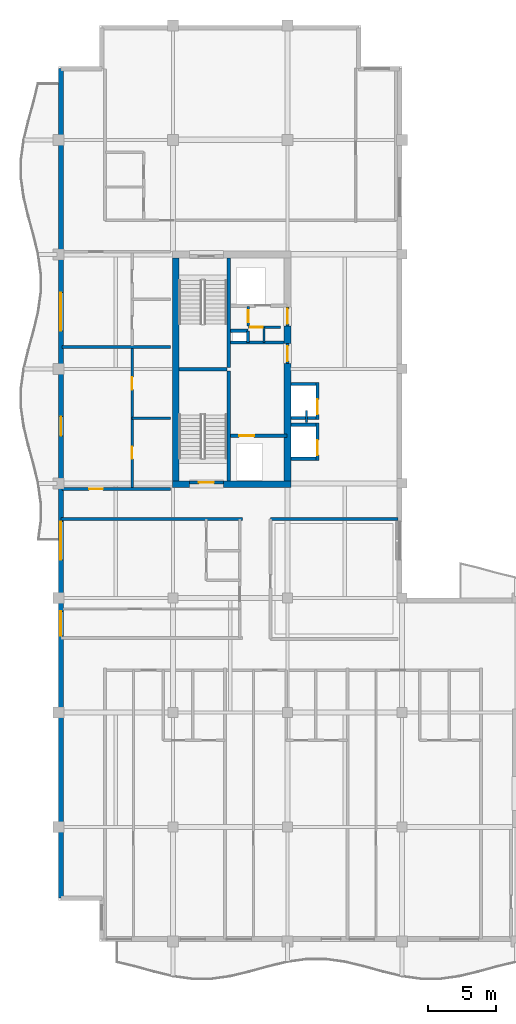
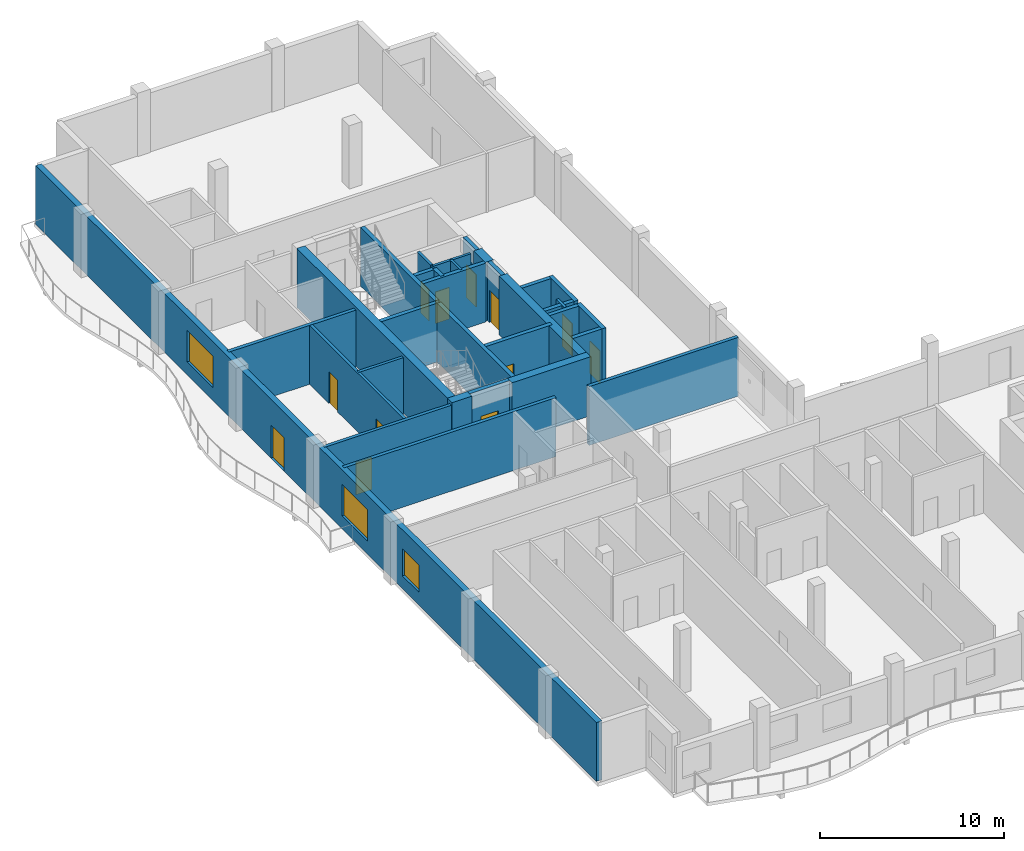
# One storey, part 6 of 11: 32 walls, 12 doors, 3 windows, 15 openings.
"""IFC4 building model written with IfcOpenShell, lengths in metres."""

from ifc_helpers import new_model, si_unit, direction, frame, frame_2d, origin, place, context, subcontext, project, spatial, rectangle, extrude, material, layer, layer_set, type_object, element, fill, save


model = new_model("IFC4")

# Units and contexts
model_context = context("Model", 3, precision=1e-05, world=origin(), true_north=direction((0.0, 1.0)))
body_context = subcontext(model_context, "Body", "Model", "MODEL_VIEW")
ifc_project = project(units=[si_unit("LENGTHUNIT", "METRE"), si_unit("AREAUNIT", "SQUARE_METRE"), si_unit("VOLUMEUNIT", "CUBIC_METRE"), si_unit("PLANEANGLEUNIT", "RADIAN"), si_unit("MASSUNIT", "GRAM", prefix="KILO")], contexts=[model_context])

# Site, building, storey
site_placement = place(None, origin())
site = spatial("IfcSite", under=ifc_project, at=site_placement, CompositionType="ELEMENT")
building_placement = place(site_placement, origin())
building = spatial("IfcBuilding", under=site, at=building_placement, Name="Koriwani Terraces Tower", CompositionType="ELEMENT")
storey_placement = place(building_placement, frame((0.0, 0.0, 359.60009765625)))
storey = spatial("IfcBuildingStorey", under=building, at=storey_placement, Name="L89", CompositionType="ELEMENT", Elevation=359.60009765625)

# Walls
ifc_material_1 = material(Name="Concrete C50/60", Category="concrete")
ifc_layer_1 = layer(ifc_material_1, 0.5, Name="Concrete C50/60")
ifc_layer_set_1 = layer_set([ifc_layer_1], Name="Concrete C50/60")
wall_type_1 = type_object("IfcWallType", Name="WALL_CORE_RC_500", PredefinedType="SHEAR", material=ifc_layer_set_1)
wall_1_placement = place(storey_placement, frame((16.75, 41.949951171875, 0.0), z_axis=(0.0, 0.0, 1.0), x_axis=(1.0, 0.0, 0.0)))
element("IfcWall", 1, at=wall_1_placement, inside=storey, type_object=wall_type_1, Name="L89 West Split Core Shear Wall S1", PredefinedType="SHEAR", context=body_context, shape_type="SweptSolid", body=[
    extrude(rectangle(XDim=1.25, YDim=0.5, at=frame_2d((0.625, 0.0))), origin(), (0.0, 0.0, 1.0), 3.89990234375),
])
wall_2_placement = place(storey_placement, frame((20.5, 41.949951171875, 0.0), z_axis=(0.0, 0.0, 1.0), x_axis=(1.0, 0.0, 0.0)))
element("IfcWall", 2, at=wall_2_placement, inside=storey, type_object=wall_type_1, Name="L89 West Split Core Shear Wall S2", PredefinedType="SHEAR", context=body_context, shape_type="SweptSolid", body=[
    extrude(rectangle(XDim=4.949951171875, YDim=0.5, at=frame_2d((2.47509765625, 0.0))), origin(), (0.0, 0.0, 1.0), 3.89990234375),
])
wall_3_placement = place(storey_placement, frame((17.0, 42.199951171875, 0.0), z_axis=(0.0, 0.0, 1.0), x_axis=(0.0, 1.0, 0.0)))
element("IfcWall", 3, at=wall_3_placement, inside=storey, type_object=wall_type_1, Name="L89 West Split Core Shear Wall W1", PredefinedType="SHEAR", context=body_context, shape_type="SweptSolid", body=[
    extrude(rectangle(XDim=16.35009765625, YDim=0.5, at=frame_2d((8.175048828125, 0.0))), origin(), (0.0, 0.0, 1.0), 3.89990234375),
])
wall_4_placement = place(storey_placement, frame((25.199951171875, 42.199951171875, 0.0), z_axis=(0.0, 0.0, 1.0), x_axis=(0.0, 1.0, 0.0)))
element("IfcWall", 4, at=wall_4_placement, inside=storey, type_object=wall_type_1, Name="L89 West Split Core Shear Wall E1", PredefinedType="SHEAR", context=body_context, shape_type="SweptSolid", body=[
    extrude(rectangle(XDim=8.60009765625, YDim=0.5, at=frame_2d((4.300048828125, 0.0))), origin(), (0.0, 0.0, 1.0), 3.89990234375),
])
wall_5_placement = place(storey_placement, frame((25.199951171875, 52.280029296875, 0.0), z_axis=(0.0, 0.0, 1.0), x_axis=(0.0, 1.0, 0.0)))
element("IfcWall", 5, at=wall_5_placement, inside=storey, type_object=wall_type_1, Name="L89 West Split Core Shear Wall E2", PredefinedType="SHEAR", context=body_context, shape_type="SweptSolid", body=[
    extrude(rectangle(XDim=1.27001953125, YDim=0.5, at=frame_2d((0.635009765625, 0.0))), origin(), (0.0, 0.0, 1.0), 3.89990234375),
])

# Wall, opening, door
ifc_material_2 = material(Name="Autoclaved Cellular Concrete Blockwork", Category="masonry")
ifc_layer_2 = layer(ifc_material_2, 0.199951171875, Name="Autoclaved Cellular Concrete Blockwork")
ifc_layer_set_2 = layer_set([ifc_layer_2], Name="Autoclaved Cellular Concrete Blockwork")
wall_type_2 = type_object("IfcWallType", Name="WALL_CORRIDOR_200", PredefinedType="PARTITIONING", material=ifc_layer_set_2)
wall_6_placement = place(storey_placement, frame((8.64990234375, 41.60009765625, 0.0), z_axis=(0.0, 0.0, 1.0), x_axis=(1.0, 0.0, 0.0)))
wall_6 = element("IfcWall", 6, at=wall_6_placement, inside=storey, type_object=wall_type_2, Name="L89 Interior Wall WRZ4-WS-L89", PredefinedType="PARTITIONING", context=body_context, shape_type="SweptSolid", body=[
    extrude(rectangle(XDim=7.9501953125, YDim=0.199951171875, at=frame_2d((3.97509765625, 0.0))), origin(), (0.0, 0.0, 1.0), 3.89990234375),
])
opening_1_placement = place(wall_6_placement, frame((2.0, 0.0, 0.0)))
opening_1 = element("IfcOpeningElement", 7, at=opening_1_placement, cuts=wall_6, Name="Opening D-05", PredefinedType="OPENING", context=body_context, shape_type="SweptSolid", body=[
    extrude(rectangle(XDim=1.0, YDim=2.14990234375, at=frame_2d((0.5, 1.074951171875))), frame((0.0, 0.10986328125, 0.0), z_axis=(0.0, -1.0, 0.0), x_axis=(1.0, 0.0, 0.0)), (0.0, 0.0, 1.0), 0.219970703125),
])
ifc_material_3 = material(Name="Architectural Oak Fire Door", Category="wood")
door_type_1 = type_object("IfcDoorType", Name="DOOR_SUITE_ENTRY_1000X2150", OperationType="NOTDEFINED", PredefinedType="DOOR", material=ifc_material_3)
door_1_placement = place(opening_1_placement, origin())
door_1 = element("IfcDoor", 8, at=door_1_placement, inside=storey, type_object=door_type_1, Name="Apartment 89RW1 Entrance Door", OperationType="SINGLE_SWING_RIGHT", OverallHeight=2.14990234375, OverallWidth=1.0, PredefinedType="DOOR", context=body_context, shape_type="SweptSolid", body=[
    extrude(rectangle(XDim=1.0, YDim=2.14990234375, at=frame_2d((0.5, 1.074951171875))), frame((0.0, 0.02490234375, 0.0), z_axis=(0.0, -1.0, 0.0), x_axis=(1.0, 0.0, 0.0)), (0.0, 0.0, 1.0), 0.050048828125),
])
fill(opening_1, door_1)

# Walls
ifc_layer_3 = layer(ifc_material_2, 0.219970703125, Name="Autoclaved Cellular Concrete Blockwork")
ifc_layer_set_3 = layer_set([ifc_layer_3], Name="Autoclaved Cellular Concrete Blockwork")
wall_type_3 = type_object("IfcWallType", Name="WALL_DEMISING_220", PredefinedType="PARTITIONING", material=ifc_layer_set_3)
wall_7_placement = place(storey_placement, frame((23.949951171875, 39.39990234375, 0.0), z_axis=(0.0, 0.0, 1.0), x_axis=(1.0, 0.0, 0.0)))
element("IfcWall", 9, at=wall_7_placement, inside=storey, type_object=wall_type_3, Name="L89 Interior Wall WIC4WN-L89", PredefinedType="PARTITIONING", context=body_context, shape_type="SweptSolid", body=[
    extrude(rectangle(XDim=9.35009765625, YDim=0.219970703125, at=frame_2d((4.675048828125, 0.0))), origin(), (0.0, 0.0, 1.0), 3.89990234375),
])
wall_8_placement = place(storey_placement, frame((8.64990234375, 52.0, 0.0), z_axis=(0.0, 0.0, 1.0), x_axis=(1.0, 0.0, 0.0)))
element("IfcWall", 10, at=wall_8_placement, inside=storey, type_object=wall_type_3, Name="L89 Interior Wall WRZ4-WM-L89", PredefinedType="PARTITIONING", context=body_context, shape_type="SweptSolid", body=[
    extrude(rectangle(XDim=7.9501953125, YDim=0.219970703125, at=frame_2d((3.97509765625, 0.0))), origin(), (0.0, 0.0, 1.0), 3.89990234375),
])
wall_9_placement = place(storey_placement, frame((8.60009765625, 39.39990234375, 0.0), z_axis=(0.0, 0.0, 1.0), x_axis=(1.0, 0.0, 0.0)))
element("IfcWall", 11, at=wall_9_placement, inside=storey, type_object=wall_type_3, Name="L89 Interior Wall WRDEME-L89-NE", PredefinedType="PARTITIONING", context=body_context, shape_type="SweptSolid", body=[
    extrude(rectangle(XDim=13.27978515625, YDim=0.219970703125, at=frame_2d((6.639892578125, 0.0))), origin(), (0.0, 0.0, 1.0), 3.89990234375),
])

# Wall, openings, door, windows
ifc_layer_4 = layer(ifc_material_1, 0.35009765625, Name="Concrete C50/60")
ifc_layer_set_4 = layer_set([ifc_layer_4], Name="Concrete C50/60")
wall_type_4 = type_object("IfcWallType", Name="WALL_EXT_BRUTALIST_350", PredefinedType="STANDARD", material=ifc_layer_set_4)
wall_10_placement = place(storey_placement, frame((8.574951171875, 11.574951171875, 0.0), z_axis=(0.0, 0.0, 1.0), x_axis=(0.0, 1.0, 0.0)))
wall_10 = element("IfcWall", 12, at=wall_10_placement, inside=storey, type_object=wall_type_4, Name="L89 Fair-Faced Brutalist Exterior Wall (W)", PredefinedType="STANDARD", context=body_context, shape_type="SweptSolid", body=[
    extrude(rectangle(XDim=60.85009765625, YDim=0.35009765625, at=frame_2d((30.425048828125, 0.0))), origin(), (0.0, 0.0, 1.0), 3.89990234375),
])
opening_2_placement = place(wall_10_placement, frame((33.925048828125, 0.0, 0.0)))
opening_2 = element("IfcOpeningElement", 13, at=opening_2_placement, cuts=wall_10, Name="Opening D-09", PredefinedType="OPENING", context=body_context, shape_type="SweptSolid", body=[
    extrude(rectangle(XDim=1.39990234375, YDim=2.199951171875, at=frame_2d((0.699951171875, 1.10009765625))), frame((0.0, 0.18505859375, 0.0), z_axis=(0.0, -1.0, 0.0), x_axis=(1.0, 0.0, 0.0)), (0.0, 0.0, 1.0), 0.3701171875),
])
opening_3_placement = place(wall_10_placement, frame((24.824951171875, 0.0, 0.85009765625)))
opening_3 = element("IfcOpeningElement", 14, at=opening_3_placement, cuts=wall_10, Name="Opening W-05", PredefinedType="OPENING", context=body_context, shape_type="SweptSolid", body=[
    extrude(rectangle(XDim=2.800048828125, YDim=2.10009765625, at=frame_2d((1.39990234375, 1.050048828125))), frame((0.0, 0.18505859375, 0.0), z_axis=(0.0, -1.0, 0.0), x_axis=(1.0, 0.0, 0.0)), (0.0, 0.0, 1.0), 0.3701171875),
])
opening_4_placement = place(wall_10_placement, frame((41.625, 0.0, 0.85009765625)))
opening_4 = element("IfcOpeningElement", 15, at=opening_4_placement, cuts=wall_10, Name="Opening W-05", PredefinedType="OPENING", context=body_context, shape_type="SweptSolid", body=[
    extrude(rectangle(XDim=2.800048828125, YDim=2.10009765625, at=frame_2d((1.39990234375, 1.050048828125))), frame((0.0, 0.18505859375, 0.0), z_axis=(0.0, -1.0, 0.0), x_axis=(1.0, 0.0, 0.0)), (0.0, 0.0, 1.0), 0.3701171875),
])
opening_5_placement = place(wall_10_placement, frame((19.25, 0.0, 0.85009765625)))
opening_5 = element("IfcOpeningElement", 16, at=opening_5_placement, cuts=wall_10, Name="Opening W-04", PredefinedType="OPENING", context=body_context, shape_type="SweptSolid", body=[
    extrude(rectangle(XDim=1.800048828125, YDim=1.800048828125, at=frame_2d((0.89990234375, 0.89990234375))), frame((0.0, 0.18505859375, 0.0), z_axis=(0.0, -1.0, 0.0), x_axis=(1.0, 0.0, 0.0)), (0.0, 0.0, 1.0), 0.3701171875),
])
ifc_material_4 = material(Name="Anodised Bronze Aluminium", Category="aluminium")
door_type_2 = type_object("IfcDoorType", Name="DOOR_BALCONY_GLAZED_1400X2200", OperationType="NOTDEFINED", PredefinedType="DOOR", material=ifc_material_4)
door_2_placement = place(opening_2_placement, origin())
door_2 = element("IfcDoor", 17, at=door_2_placement, inside=storey, type_object=door_type_2, Name="L89 West Balcony Glazed Door", OperationType="SINGLE_SWING_LEFT", OverallHeight=2.199951171875, OverallWidth=1.39990234375, PredefinedType="DOOR", context=body_context, shape_type="SweptSolid", body=[
    extrude(rectangle(XDim=1.39990234375, YDim=2.199951171875, at=frame_2d((0.699951171875, 1.10009765625))), frame((0.0, 0.02490234375, 0.0), z_axis=(0.0, -1.0, 0.0), x_axis=(1.0, 0.0, 0.0)), (0.0, 0.0, 1.0), 0.050048828125),
])
fill(opening_2, door_2)
ifc_material_5 = material(Name="Tempered Laminated Low-E Glass", Category="glass")
window_type_1 = type_object("IfcWindowType", Name="WIN_PENTHOUSE_2800X2100", PartitioningType="TRIPLE_PANEL_VERTICAL", PredefinedType="WINDOW", material=ifc_material_5)
window_1_placement = place(opening_3_placement, origin())
window_1 = element("IfcWindow", 18, at=window_1_placement, inside=storey, type_object=window_type_1, Name="L89 Exterior Window (W-9)", OverallHeight=2.10009765625, OverallWidth=2.800048828125, PartitioningType="SINGLE_PANEL", PredefinedType="WINDOW", context=body_context, shape_type="SweptSolid", body=[
    extrude(rectangle(XDim=2.800048828125, YDim=2.10009765625, at=frame_2d((1.39990234375, 1.050048828125))), frame((0.0, 0.030029296875, 0.0), z_axis=(0.0, -1.0, 0.0), x_axis=(1.0, 0.0, 0.0)), (0.0, 0.0, 1.0), 0.06005859375),
])
fill(opening_3, window_1)
window_2_placement = place(opening_4_placement, origin())
window_2 = element("IfcWindow", 19, at=window_2_placement, inside=storey, type_object=window_type_1, Name="L89 Exterior Window (W-15)", OverallHeight=2.10009765625, OverallWidth=2.800048828125, PartitioningType="SINGLE_PANEL", PredefinedType="WINDOW", context=body_context, shape_type="SweptSolid", body=[
    extrude(rectangle(XDim=2.800048828125, YDim=2.10009765625, at=frame_2d((1.39990234375, 1.050048828125))), frame((0.0, 0.030029296875, 0.0), z_axis=(0.0, -1.0, 0.0), x_axis=(1.0, 0.0, 0.0)), (0.0, 0.0, 1.0), 0.06005859375),
])
fill(opening_4, window_2)
window_type_2 = type_object("IfcWindowType", Name="WIN_RES_BED_1800X1800", PartitioningType="DOUBLE_PANEL_VERTICAL", PredefinedType="WINDOW", material=ifc_material_5)
window_3_placement = place(opening_5_placement, origin())
window_3 = element("IfcWindow", 20, at=window_3_placement, inside=storey, type_object=window_type_2, Name="L89 Exterior Window (W-R45)", OverallHeight=1.800048828125, OverallWidth=1.800048828125, PartitioningType="SINGLE_PANEL", PredefinedType="WINDOW", context=body_context, shape_type="SweptSolid", body=[
    extrude(rectangle(XDim=1.800048828125, YDim=1.800048828125, at=frame_2d((0.89990234375, 0.89990234375))), frame((0.0, 0.030029296875, 0.0), z_axis=(0.0, -1.0, 0.0), x_axis=(1.0, 0.0, 0.0)), (0.0, 0.0, 1.0), 0.06005859375),
])
fill(opening_5, window_3)

# Wall, openings, doors
ifc_material_6 = material(Name="Fire-Rated Acoustic Gypsum Partition", Category="masonry")
ifc_layer_5 = layer(ifc_material_6, 0.179931640625, Name="Fire-Rated Acoustic Gypsum Partition")
ifc_layer_set_5 = layer_set([ifc_layer_5], Name="Fire-Rated Acoustic Gypsum Partition")
wall_type_5 = type_object("IfcWallType", Name="WALL_PLUMBING_180", PredefinedType="PLUMBINGWALL", material=ifc_layer_set_5)
wall_11_placement = place(storey_placement, frame((13.800048828125, 41.699951171875, 0.0), z_axis=(0.0, 0.0, 1.0), x_axis=(0.0, 1.0, 0.0)))
wall_11 = element("IfcWall", 21, at=wall_11_placement, inside=storey, type_object=wall_type_5, Name="L89 Interior Wall WRZ4-RW1-PB-L89", PredefinedType="PLUMBINGWALL", context=body_context, shape_type="SweptSolid", body=[
    extrude(rectangle(XDim=10.199951171875, YDim=0.179931640625, at=frame_2d((5.10009765625, 0.0))), origin(), (0.0, 0.0, 1.0), 3.89990234375),
])
opening_6_placement = place(wall_11_placement, frame((2.10009765625, 0.0, 0.0)))
opening_6 = element("IfcOpeningElement", 22, at=opening_6_placement, cuts=wall_11, Name="Opening D-07", PredefinedType="OPENING", context=body_context, shape_type="SweptSolid", body=[
    extrude(rectangle(XDim=0.89990234375, YDim=2.10009765625, at=frame_2d((0.449951171875, 1.050048828125))), frame((0.0, 0.10009765625, 0.0), z_axis=(0.0, -1.0, 0.0), x_axis=(1.0, 0.0, 0.0)), (0.0, 0.0, 1.0), 0.199951171875),
])
opening_7_placement = place(wall_11_placement, frame((7.18994140625, 0.0, 0.0)))
opening_7 = element("IfcOpeningElement", 23, at=opening_7_placement, cuts=wall_11, Name="Opening D-06", PredefinedType="OPENING", context=body_context, shape_type="SweptSolid", body=[
    extrude(rectangle(XDim=0.919921875, YDim=2.10009765625, at=frame_2d((0.4599609375, 1.050048828125))), frame((0.0, 0.10009765625, 0.0), z_axis=(0.0, -1.0, 0.0), x_axis=(1.0, 0.0, 0.0)), (0.0, 0.0, 1.0), 0.199951171875),
])
door_type_3 = type_object("IfcDoorType", Name="DOOR_BATH_INT_900X2100", OperationType="NOTDEFINED", PredefinedType="DOOR", material=ifc_material_3)
door_3_placement = place(opening_6_placement, origin())
door_3 = element("IfcDoor", 24, at=door_3_placement, inside=storey, type_object=door_type_3, Name="Apartment 89RW1 Bathroom Door", OperationType="SINGLE_SWING_RIGHT", OverallHeight=2.10009765625, OverallWidth=0.89990234375, PredefinedType="DOOR", context=body_context, shape_type="SweptSolid", body=[
    extrude(rectangle(XDim=0.89990234375, YDim=2.10009765625, at=frame_2d((0.449951171875, 1.050048828125))), frame((0.0, 0.02490234375, 0.0), z_axis=(0.0, -1.0, 0.0), x_axis=(1.0, 0.0, 0.0)), (0.0, 0.0, 1.0), 0.050048828125),
])
fill(opening_6, door_3)
door_type_4 = type_object("IfcDoorType", Name="DOOR_ROOM_INT_920X2100", OperationType="NOTDEFINED", PredefinedType="DOOR", material=ifc_material_3)
door_4_placement = place(opening_7_placement, origin())
door_4 = element("IfcDoor", 25, at=door_4_placement, inside=storey, type_object=door_type_4, Name="Apartment 89RW1 Kitchen Door", OperationType="SINGLE_SWING_LEFT", OverallHeight=2.10009765625, OverallWidth=0.919921875, PredefinedType="DOOR", context=body_context, shape_type="SweptSolid", body=[
    extrude(rectangle(XDim=0.919921875, YDim=2.10009765625, at=frame_2d((0.4599609375, 1.050048828125))), frame((0.0, 0.02490234375, 0.0), z_axis=(0.0, -1.0, 0.0), x_axis=(1.0, 0.0, 0.0)), (0.0, 0.0, 1.0), 0.050048828125),
])
fill(opening_7, door_4)

# Walls
wall_12_placement = place(storey_placement, frame((13.800048828125, 46.800048828125, 0.0), z_axis=(0.0, 0.0, 1.0), x_axis=(1.0, 0.0, 0.0)))
element("IfcWall", 26, at=wall_12_placement, inside=storey, type_object=wall_type_5, Name="L89 Interior Wall WRZ4-RW1-P2-L89", PredefinedType="PLUMBINGWALL", context=body_context, shape_type="SweptSolid", body=[
    extrude(rectangle(XDim=2.800048828125, YDim=0.179931640625, at=frame_2d((1.39990234375, 0.0))), origin(), (0.0, 0.0, 1.0), 3.89990234375),
])
ifc_material_7 = material(Name="Concrete C40/50", Category="concrete")
ifc_layer_6 = layer(ifc_material_7, 0.25, Name="Concrete C40/50")
ifc_layer_set_6 = layer_set([ifc_layer_6], Name="Concrete C40/50")
wall_type_6 = type_object("IfcWallType", Name="WALL_SHAFT_RATED_250", PredefinedType="SOLIDWALL", material=ifc_layer_set_6)
for number, where, z_axis, x_axis, name in (
    (27, (20.875, 42.199951171875, 0.0), (0.0, 0.0, 1.0), (0.0, 1.0, 0.0), "L89 West Split Core Web Wall MID1"),
    (28, (20.875, 50.5, 0.0), (0.0, 0.0, 1.0), (0.0, 1.0, 0.0), "L89 West Split Core Web Wall MID2"),
):
    element("IfcWall", number, at=place(storey_placement, frame(where, z_axis=z_axis, x_axis=x_axis)), inside=storey, type_object=wall_type_6, Name=name, PredefinedType="SOLIDWALL", context=body_context, shape_type="SweptSolid", body=[
        extrude(rectangle(XDim=8.050048828125, YDim=0.25, at=frame_2d((4.02490234375, 0.0))), origin(), (0.0, 0.0, 1.0), 3.89990234375),
    ])
wall_13_placement = place(storey_placement, frame((17.25, 50.375, 0.0), z_axis=(0.0, 0.0, 1.0), x_axis=(1.0, 0.0, 0.0)))
element("IfcWall", 29, at=wall_13_placement, inside=storey, type_object=wall_type_6, Name="L89 West Split Core Stair Dividing Wall", PredefinedType="SOLIDWALL", context=body_context, shape_type="SweptSolid", body=[
    extrude(rectangle(XDim=3.5, YDim=0.25, at=frame_2d((1.75, 0.0))), origin(), (0.0, 0.0, 1.0), 3.89990234375),
])

# Wall, opening, door
wall_14_placement = place(storey_placement, frame((18.0, 42.074951171875, 0.0), z_axis=(0.0, 0.0, 1.0), x_axis=(1.0, 0.0, 0.0)))
wall_14 = element("IfcWall", 30, at=wall_14_placement, inside=storey, type_object=wall_type_6, Name="L89 Interior Wall WIN-CW-L89-STS", PredefinedType="SOLIDWALL", context=body_context, shape_type="SweptSolid", body=[
    extrude(rectangle(XDim=2.5, YDim=0.25, at=frame_2d((1.25, 0.0))), origin(), (0.0, 0.0, 1.0), 3.89990234375),
])
opening_8_placement = place(wall_14_placement, frame((0.699951171875, 0.0, 0.0)))
opening_8 = element("IfcOpeningElement", 31, at=opening_8_placement, cuts=wall_14, Name="Opening D-03", PredefinedType="OPENING", context=body_context, shape_type="SweptSolid", body=[
    extrude(rectangle(XDim=1.10009765625, YDim=2.14990234375, at=frame_2d((0.550048828125, 1.074951171875))), frame((0.0, 0.135009765625, 0.0), z_axis=(0.0, -1.0, 0.0), x_axis=(1.0, 0.0, 0.0)), (0.0, 0.0, 1.0), 0.27001953125),
])
ifc_material_8 = material(Name="Steel ASTM A572 Grade 50", Category="steel")
door_type_5 = type_object("IfcDoorType", Name="DOOR_STAIR_FIRE_1100X2150", OperationType="NOTDEFINED", PredefinedType="DOOR", material=ifc_material_8)
door_5_placement = place(opening_8_placement, origin())
door_5 = element("IfcDoor", 32, at=door_5_placement, inside=storey, type_object=door_type_5, Name="L89 Exit Stair ST-W1 Door", OperationType="SINGLE_SWING_LEFT", OverallHeight=2.14990234375, OverallWidth=1.10009765625, PredefinedType="DOOR", context=body_context, shape_type="SweptSolid", body=[
    extrude(rectangle(XDim=1.10009765625, YDim=2.14990234375, at=frame_2d((0.550048828125, 1.074951171875))), frame((0.0, 0.02490234375, 0.0), z_axis=(0.0, -1.0, 0.0), x_axis=(1.0, 0.0, 0.0)), (0.0, 0.0, 1.0), 0.050048828125),
])
fill(opening_8, door_5)

wall_15_placement = place(storey_placement, frame((21.0, 45.5, 0.0), z_axis=(0.0, 0.0, 1.0), x_axis=(1.0, 0.0, 0.0)))
wall_15 = element("IfcWall", 33, at=wall_15_placement, inside=storey, type_object=wall_type_6, Name="L89 Interior Wall WIN-CW-L89-FE", PredefinedType="SOLIDWALL", context=body_context, shape_type="SweptSolid", body=[
    extrude(rectangle(XDim=4.14990234375, YDim=0.25, at=frame_2d((2.074951171875, 0.0))), origin(), (0.0, 0.0, 1.0), 3.89990234375),
])
opening_9_placement = place(wall_15_placement, frame((0.64990234375, 0.0, 0.0)))
opening_9 = element("IfcOpeningElement", 34, at=opening_9_placement, cuts=wall_15, Name="Opening LD-01", PredefinedType="OPENING", context=body_context, shape_type="SweptSolid", body=[
    extrude(rectangle(XDim=1.10009765625, YDim=2.14990234375, at=frame_2d((0.550048828125, 1.074951171875))), frame((0.0, 0.135009765625, 0.0), z_axis=(0.0, -1.0, 0.0), x_axis=(1.0, 0.0, 0.0)), (0.0, 0.0, 1.0), 0.27001953125),
])
door_type_6 = type_object("IfcDoorType", Name="DOOR_LIFT_LANDING_1100X2200", OperationType="NOTDEFINED", PredefinedType="DOOR", material=ifc_material_8)
door_6_placement = place(opening_9_placement, origin())
door_6 = element("IfcDoor", 35, at=door_6_placement, inside=storey, type_object=door_type_6, Name="L89 Firefighting Lift FE-01 Landing Door", OperationType="SLIDING_TO_LEFT", OverallHeight=2.14990234375, OverallWidth=1.10009765625, PredefinedType="DOOR", context=body_context, shape_type="SweptSolid", body=[
    extrude(rectangle(XDim=1.10009765625, YDim=2.14990234375, at=frame_2d((0.550048828125, 1.074951171875))), frame((0.0, 0.02490234375, 0.0), z_axis=(0.0, -1.0, 0.0), x_axis=(1.0, 0.0, 0.0)), (0.0, 0.0, 1.0), 0.050048828125),
])
fill(opening_9, door_6)

wall_16_placement = place(storey_placement, frame((25.199951171875, 50.800048828125, 0.0), z_axis=(0.0, 0.0, 1.0), x_axis=(0.0, 1.0, 0.0)))
wall_16 = element("IfcWall", 36, at=wall_16_placement, inside=storey, type_object=wall_type_6, Name="L89 Interior Wall WIN-CW-L89-EP", PredefinedType="SOLIDWALL", context=body_context, shape_type="SweptSolid", body=[
    extrude(rectangle(XDim=1.47998046875, YDim=0.25, at=frame_2d((0.739990234375, 0.0))), origin(), (0.0, 0.0, 1.0), 3.89990234375),
])
opening_10_placement = place(wall_16_placement, frame((0.179931640625, 0.0, 0.0)))
opening_10 = element("IfcOpeningElement", 37, at=opening_10_placement, cuts=wall_16, Name="Opening D-03", PredefinedType="OPENING", context=body_context, shape_type="SweptSolid", body=[
    extrude(rectangle(XDim=1.10009765625, YDim=2.14990234375, at=frame_2d((0.550048828125, 1.074951171875))), frame((0.0, 0.135009765625, 0.0), z_axis=(0.0, -1.0, 0.0), x_axis=(1.0, 0.0, 0.0)), (0.0, 0.0, 1.0), 0.27001953125),
])
door_7_placement = place(opening_10_placement, origin())
door_7 = element("IfcDoor", 38, at=door_7_placement, inside=storey, type_object=door_type_5, Name="L89 West Firefighting Lobby Door", OperationType="SINGLE_SWING_LEFT", OverallHeight=2.14990234375, OverallWidth=1.10009765625, PredefinedType="DOOR", context=body_context, shape_type="SweptSolid", body=[
    extrude(rectangle(XDim=1.10009765625, YDim=2.14990234375, at=frame_2d((0.550048828125, 1.074951171875))), frame((0.0, 0.02490234375, 0.0), z_axis=(0.0, -1.0, 0.0), x_axis=(1.0, 0.0, 0.0)), (0.0, 0.0, 1.0), 0.050048828125),
])
fill(opening_10, door_7)

# Wall
wall_17_placement = place(storey_placement, frame((21.0, 52.340087890625, 0.0), z_axis=(0.0, 0.0, 1.0), x_axis=(1.0, 0.0, 0.0)))
element("IfcWall", 39, at=wall_17_placement, inside=storey, type_object=wall_type_6, Name="L89 Interior Wall WIN-CW-L89-FFN", PredefinedType="SOLIDWALL", context=body_context, shape_type="SweptSolid", body=[
    extrude(rectangle(XDim=3.949951171875, YDim=0.25, at=frame_2d((1.97509765625, 0.0))), origin(), (0.0, 0.0, 1.0), 3.89990234375),
])

# Wall, opening, door
wall_18_placement = place(storey_placement, frame((25.199951171875, 53.550048828125, 0.0), z_axis=(0.0, 0.0, 1.0), x_axis=(0.0, 1.0, 0.0)))
wall_18 = element("IfcWall", 40, at=wall_18_placement, inside=storey, type_object=wall_type_6, Name="L89 Interior Wall WIN-CW-L89-EP2", PredefinedType="SOLIDWALL", context=body_context, shape_type="SweptSolid", body=[
    extrude(rectangle(XDim=1.39990234375, YDim=0.25, at=frame_2d((0.699951171875, 0.0))), origin(), (0.0, 0.0, 1.0), 3.89990234375),
])
opening_11_placement = place(wall_18_placement, frame((0.14990234375, 0.0, 0.0)))
opening_11 = element("IfcOpeningElement", 41, at=opening_11_placement, cuts=wall_18, Name="Opening D-03", PredefinedType="OPENING", context=body_context, shape_type="SweptSolid", body=[
    extrude(rectangle(XDim=1.10009765625, YDim=2.14990234375, at=frame_2d((0.550048828125, 1.074951171875))), frame((0.0, 0.135009765625, 0.0), z_axis=(0.0, -1.0, 0.0), x_axis=(1.0, 0.0, 0.0)), (0.0, 0.0, 1.0), 0.27001953125),
])
door_8_placement = place(opening_11_placement, origin())
door_8 = element("IfcDoor", 42, at=door_8_placement, inside=storey, type_object=door_type_5, Name="L89 West Goods Lift Lobby Door", OperationType="SINGLE_SWING_RIGHT", OverallHeight=2.14990234375, OverallWidth=1.10009765625, PredefinedType="DOOR", context=body_context, shape_type="SweptSolid", body=[
    extrude(rectangle(XDim=1.10009765625, YDim=2.14990234375, at=frame_2d((0.550048828125, 1.074951171875))), frame((0.0, 0.02490234375, 0.0), z_axis=(0.0, -1.0, 0.0), x_axis=(1.0, 0.0, 0.0)), (0.0, 0.0, 1.0), 0.050048828125),
])
fill(opening_11, door_8)

# Walls
wall_19_placement = place(storey_placement, frame((21.0, 53.199951171875, 0.0), z_axis=(0.0, 0.0, 1.0), x_axis=(1.0, 0.0, 0.0)))
element("IfcWall", 43, at=wall_19_placement, inside=storey, type_object=wall_type_6, Name="L89 Interior Wall WIN-CW-L89-RS1", PredefinedType="SOLIDWALL", context=body_context, shape_type="SweptSolid", body=[
    extrude(rectangle(XDim=1.300048828125, YDim=0.25, at=frame_2d((0.64990234375, 0.0))), origin(), (0.0, 0.0, 1.0), 3.89990234375),
])
wall_20_placement = place(storey_placement, frame((22.300048828125, 52.360107421875, 0.0), z_axis=(0.0, 0.0, 1.0), x_axis=(0.0, 1.0, 0.0)))
element("IfcWall", 44, at=wall_20_placement, inside=storey, type_object=wall_type_6, Name="L89 Interior Wall WIN-CW-L89-RS2", PredefinedType="SOLIDWALL", context=body_context, shape_type="SweptSolid", body=[
    extrude(rectangle(XDim=0.83984375, YDim=0.25, at=frame_2d((0.419921875, 0.0))), origin(), (0.0, 0.0, 1.0), 3.89990234375),
])

# Wall, opening, door
wall_21_placement = place(storey_placement, frame((27.39990234375, 43.675048828125, 0.0), z_axis=(0.0, 0.0, 1.0), x_axis=(0.0, 1.0, 0.0)))
wall_21 = element("IfcWall", 45, at=wall_21_placement, inside=storey, type_object=wall_type_6, Name="L89 Interior Wall WIN-LF-PE-H1-L89-F", PredefinedType="SOLIDWALL", context=body_context, shape_type="SweptSolid", body=[
    extrude(rectangle(XDim=2.75, YDim=0.25, at=frame_2d((1.375, 0.0))), origin(), (0.0, 0.0, 1.0), 3.89990234375),
])
opening_12_placement = place(wall_21_placement, frame((0.39990234375, 0.0, 0.0)))
opening_12 = element("IfcOpeningElement", 46, at=opening_12_placement, cuts=wall_21, Name="Opening LD-01", PredefinedType="OPENING", context=body_context, shape_type="SweptSolid", body=[
    extrude(rectangle(XDim=1.10009765625, YDim=2.14990234375, at=frame_2d((0.550048828125, 1.074951171875))), frame((0.0, 0.135009765625, 0.0), z_axis=(0.0, -1.0, 0.0), x_axis=(1.0, 0.0, 0.0)), (0.0, 0.0, 1.0), 0.27001953125),
])
door_9_placement = place(opening_12_placement, origin())
door_9 = element("IfcDoor", 47, at=door_9_placement, inside=storey, type_object=door_type_6, Name="L89 Passenger Lift PE-H1 Landing Door", OperationType="SLIDING_TO_LEFT", OverallHeight=2.14990234375, OverallWidth=1.10009765625, PredefinedType="DOOR", context=body_context, shape_type="SweptSolid", body=[
    extrude(rectangle(XDim=1.10009765625, YDim=2.14990234375, at=frame_2d((0.550048828125, 1.074951171875))), frame((0.0, 0.02490234375, 0.0), z_axis=(0.0, -1.0, 0.0), x_axis=(1.0, 0.0, 0.0)), (0.0, 0.0, 1.0), 0.050048828125),
])
fill(opening_12, door_9)

# Walls
for number, where, z_axis, x_axis, name in (
    (48, (25.449951171875, 43.800048828125, 0.0), (0.0, 0.0, 1.0), (1.0, 0.0, 0.0), "L89 Interior Wall WIN-LF-PE-H1-L89-S"),
    (49, (25.449951171875, 46.300048828125, 0.0), (0.0, 0.0, 1.0), (1.0, 0.0, 0.0), "L89 Interior Wall WIN-LF-PE-H1-L89-N"),
):
    element("IfcWall", number, at=place(storey_placement, frame(where, z_axis=z_axis, x_axis=x_axis)), inside=storey, type_object=wall_type_6, Name=name, PredefinedType="SOLIDWALL", context=body_context, shape_type="SweptSolid", body=[
        extrude(rectangle(XDim=1.824951171875, YDim=0.25, at=frame_2d((0.91259765625, 0.0))), origin(), (0.0, 0.0, 1.0), 3.89990234375),
    ])

# Wall, opening, door
wall_22_placement = place(storey_placement, frame((27.39990234375, 46.675048828125, 0.0), z_axis=(0.0, 0.0, 1.0), x_axis=(0.0, 1.0, 0.0)))
wall_22 = element("IfcWall", 50, at=wall_22_placement, inside=storey, type_object=wall_type_6, Name="L89 Interior Wall WIN-LF-PE-H2-L89-F", PredefinedType="SOLIDWALL", context=body_context, shape_type="SweptSolid", body=[
    extrude(rectangle(XDim=2.75, YDim=0.25, at=frame_2d((1.375, 0.0))), origin(), (0.0, 0.0, 1.0), 3.89990234375),
])
opening_13_placement = place(wall_22_placement, frame((0.39990234375, 0.0, 0.0)))
opening_13 = element("IfcOpeningElement", 51, at=opening_13_placement, cuts=wall_22, Name="Opening LD-01", PredefinedType="OPENING", context=body_context, shape_type="SweptSolid", body=[
    extrude(rectangle(XDim=1.10009765625, YDim=2.14990234375, at=frame_2d((0.550048828125, 1.074951171875))), frame((0.0, 0.135009765625, 0.0), z_axis=(0.0, -1.0, 0.0), x_axis=(1.0, 0.0, 0.0)), (0.0, 0.0, 1.0), 0.27001953125),
])
door_10_placement = place(opening_13_placement, origin())
door_10 = element("IfcDoor", 52, at=door_10_placement, inside=storey, type_object=door_type_6, Name="L89 Passenger Lift PE-H2 Landing Door", OperationType="SLIDING_TO_LEFT", OverallHeight=2.14990234375, OverallWidth=1.10009765625, PredefinedType="DOOR", context=body_context, shape_type="SweptSolid", body=[
    extrude(rectangle(XDim=1.10009765625, YDim=2.14990234375, at=frame_2d((0.550048828125, 1.074951171875))), frame((0.0, 0.02490234375, 0.0), z_axis=(0.0, -1.0, 0.0), x_axis=(1.0, 0.0, 0.0)), (0.0, 0.0, 1.0), 0.050048828125),
])
fill(opening_13, door_10)

# Walls
for number, where, z_axis, x_axis, name in (
    (53, (25.449951171875, 46.800048828125, 0.0), (0.0, 0.0, 1.0), (1.0, 0.0, 0.0), "L89 Interior Wall WIN-LF-PE-H2-L89-S"),
    (54, (25.449951171875, 49.300048828125, 0.0), (0.0, 0.0, 1.0), (1.0, 0.0, 0.0), "L89 Interior Wall WIN-LF-PE-H2-L89-N"),
):
    element("IfcWall", number, at=place(storey_placement, frame(where, z_axis=z_axis, x_axis=x_axis)), inside=storey, type_object=wall_type_6, Name=name, PredefinedType="SOLIDWALL", context=body_context, shape_type="SweptSolid", body=[
        extrude(rectangle(XDim=1.824951171875, YDim=0.25, at=frame_2d((0.91259765625, 0.0))), origin(), (0.0, 0.0, 1.0), 3.89990234375),
    ])

# Wall, opening, door
ifc_layer_7 = layer(ifc_material_6, 0.159912109375, Name="Fire-Rated Acoustic Gypsum Partition")
ifc_layer_set_7 = layer_set([ifc_layer_7], Name="Fire-Rated Acoustic Gypsum Partition")
wall_type_7 = type_object("IfcWallType", Name="WALL_SUITE_160", PredefinedType="PARTITIONING", material=ifc_layer_set_7)
wall_23_placement = place(storey_placement, frame((22.320068359375, 53.56005859375, 0.0), z_axis=(0.0, 0.0, 1.0), x_axis=(0.0, 1.0, 0.0)))
wall_23 = element("IfcWall", 55, at=wall_23_placement, inside=storey, type_object=wall_type_7, Name="L89 Interior Wall WIN-CW-L89-SV2A", PredefinedType="PARTITIONING", context=body_context, shape_type="SweptSolid", body=[
    extrude(rectangle(XDim=1.43994140625, YDim=0.159912109375, at=frame_2d((0.719970703125, 0.0))), origin(), (0.0, 0.0, 1.0), 3.89990234375),
])
opening_14_placement = place(wall_23_placement, frame((0.260009765625, 0.0, 0.0)))
opening_14 = element("IfcOpeningElement", 56, at=opening_14_placement, cuts=wall_23, Name="Opening D-07", PredefinedType="OPENING", context=body_context, shape_type="SweptSolid", body=[
    extrude(rectangle(XDim=0.89990234375, YDim=2.10009765625, at=frame_2d((0.449951171875, 1.050048828125))), frame((0.0, 0.08984375, 0.0), z_axis=(0.0, -1.0, 0.0), x_axis=(1.0, 0.0, 0.0)), (0.0, 0.0, 1.0), 0.179931640625),
])
door_11_placement = place(opening_14_placement, origin())
door_11 = element("IfcDoor", 57, at=door_11_placement, inside=storey, type_object=door_type_3, Name="L89 West Meter Room Door", OperationType="SINGLE_SWING_LEFT", OverallHeight=2.10009765625, OverallWidth=0.89990234375, PredefinedType="DOOR", context=body_context, shape_type="SweptSolid", body=[
    extrude(rectangle(XDim=0.89990234375, YDim=2.10009765625, at=frame_2d((0.449951171875, 1.050048828125))), frame((0.0, 0.02490234375, 0.0), z_axis=(0.0, -1.0, 0.0), x_axis=(1.0, 0.0, 0.0)), (0.0, 0.0, 1.0), 0.050048828125),
])
fill(opening_14, door_11)

wall_24_placement = place(storey_placement, frame((22.320068359375, 53.4599609375, 0.0), z_axis=(0.0, 0.0, 1.0), x_axis=(1.0, 0.0, 0.0)))
wall_24 = element("IfcWall", 58, at=wall_24_placement, inside=storey, type_object=wall_type_7, Name="L89 Interior Wall WIN-CW-L89-SV2H", PredefinedType="PARTITIONING", context=body_context, shape_type="SweptSolid", body=[
    extrude(rectangle(XDim=2.35986328125, YDim=0.159912109375, at=frame_2d((1.179931640625, 0.0))), origin(), (0.0, 0.0, 1.0), 3.89990234375),
])
opening_15_placement = place(wall_24_placement, frame((0.159912109375, 0.0, 0.0)))
opening_15 = element("IfcOpeningElement", 59, at=opening_15_placement, cuts=wall_24, Name="Opening D-07", PredefinedType="OPENING", context=body_context, shape_type="SweptSolid", body=[
    extrude(rectangle(XDim=0.89990234375, YDim=2.10009765625, at=frame_2d((0.449951171875, 1.050048828125))), frame((0.0, 0.08984375, 0.0), z_axis=(0.0, -1.0, 0.0), x_axis=(1.0, 0.0, 0.0)), (0.0, 0.0, 1.0), 0.179931640625),
])
door_12_placement = place(opening_15_placement, origin())
door_12 = element("IfcDoor", 60, at=door_12_placement, inside=storey, type_object=door_type_3, Name="L89 West Valve Room Door", OperationType="SINGLE_SWING_RIGHT", OverallHeight=2.10009765625, OverallWidth=0.89990234375, PredefinedType="DOOR", context=body_context, shape_type="SweptSolid", body=[
    extrude(rectangle(XDim=0.89990234375, YDim=2.10009765625, at=frame_2d((0.449951171875, 1.050048828125))), frame((0.0, 0.02490234375, 0.0), z_axis=(0.0, -1.0, 0.0), x_axis=(1.0, 0.0, 0.0)), (0.0, 0.0, 1.0), 0.050048828125),
])
fill(opening_15, door_12)

# Walls
wall_25_placement = place(storey_placement, frame((23.47998046875, 52.360107421875, 0.0), z_axis=(0.0, 0.0, 1.0), x_axis=(0.0, 1.0, 0.0)))
element("IfcWall", 61, at=wall_25_placement, inside=storey, type_object=wall_type_7, Name="L89 Interior Wall WIN-CW-L89-SV2V", PredefinedType="PARTITIONING", context=body_context, shape_type="SweptSolid", body=[
    extrude(rectangle(XDim=1.099853515625, YDim=0.159912109375, at=frame_2d((0.5498046875, 0.0))), origin(), (0.0, 0.0, 1.0), 3.89990234375),
])
wall_26_placement = place(storey_placement, frame((26.60009765625, 46.4599609375, 0.0), z_axis=(0.0, 0.0, 1.0), x_axis=(0.0, 1.0, 0.0)))
element("IfcWall", 62, at=wall_26_placement, inside=storey, type_object=wall_type_7, Name="L89 Interior Wall WIN-LF-PEH12-MID-L89", PredefinedType="PARTITIONING", context=body_context, shape_type="SweptSolid", body=[
    extrude(rectangle(XDim=0.880126953125, YDim=0.159912109375, at=frame_2d((0.43994140625, 0.0))), origin(), (0.0, 0.0, 1.0), 3.89990234375),
])

save(model, "model.ifc")
